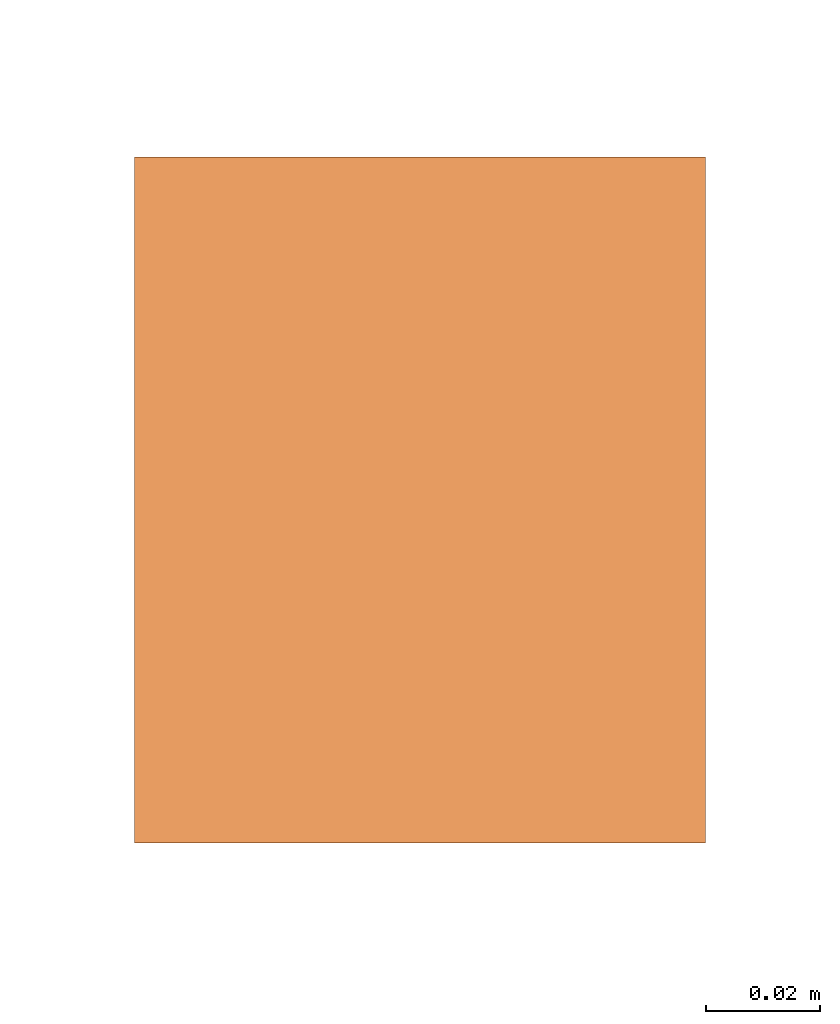
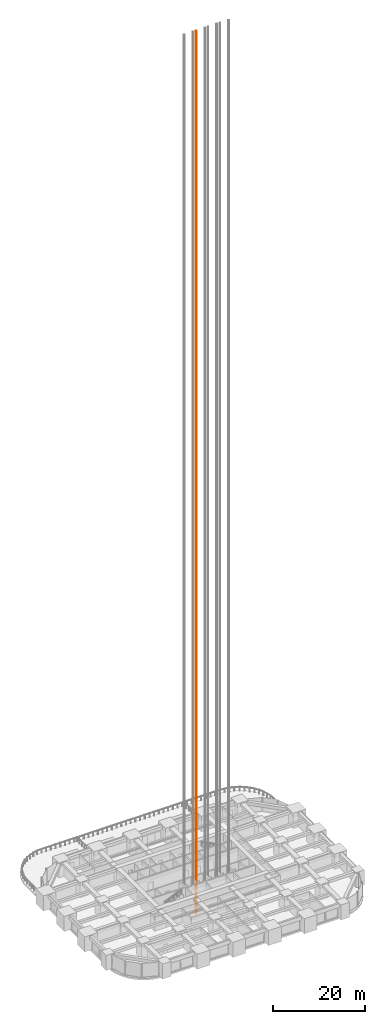
# One storey, part 45 of 50: 1 proxy.
"""IFC4 building model written with IfcOpenShell, lengths in metres."""

from ifc_helpers import new_model, si_unit, direction, frame, origin, origin_2d, place, context, subcontext, project, spatial, rectangle, extrude, element, save


model = new_model("IFC4")

# Units and contexts
model_context = context("Model", 3, precision=1e-05, world=origin(), true_north=direction((0.0, 1.0)))
body_context = subcontext(model_context, "Body", "Model", "MODEL_VIEW")
ifc_project = project(units=[si_unit("LENGTHUNIT", "METRE"), si_unit("AREAUNIT", "SQUARE_METRE"), si_unit("VOLUMEUNIT", "CUBIC_METRE"), si_unit("PLANEANGLEUNIT", "RADIAN"), si_unit("MASSUNIT", "GRAM", prefix="KILO")], contexts=[model_context])

# Site, building, storey
site_placement = place(None, origin())
site = spatial("IfcSite", under=ifc_project, at=site_placement, CompositionType="ELEMENT")
building_placement = place(site_placement, origin())
building = spatial("IfcBuilding", under=site, at=building_placement, Name="Zorevar Civic Tower", CompositionType="ELEMENT")
storey_placement = place(building_placement, frame((0.0, 0.0, 85.0)))
storey = spatial("IfcBuildingStorey", under=building, at=storey_placement, Name="L20", CompositionType="ELEMENT", Elevation=85.0)

# Proxy
proxy_placement = place(storey_placement, frame((30.39990234375, 23.10009765625, -5.0), z_axis=(0.0, 0.0, 1.0), x_axis=(1.0, 0.0, 0.0)))
element("IfcBuildingElementProxy", 1, at=proxy_placement, inside=storey, Name="Passenger lift LT2 guide rail 1", PredefinedType="NOTDEFINED", context=body_context, shape_type="SweptSolid", body=[
    extrude(rectangle(XDim=0.10009765625, YDim=0.1201171875, at=origin_2d()), origin(), (0.0, 0.0, 1.0), 235.300048828125),
])

save(model, "model.ifc")
